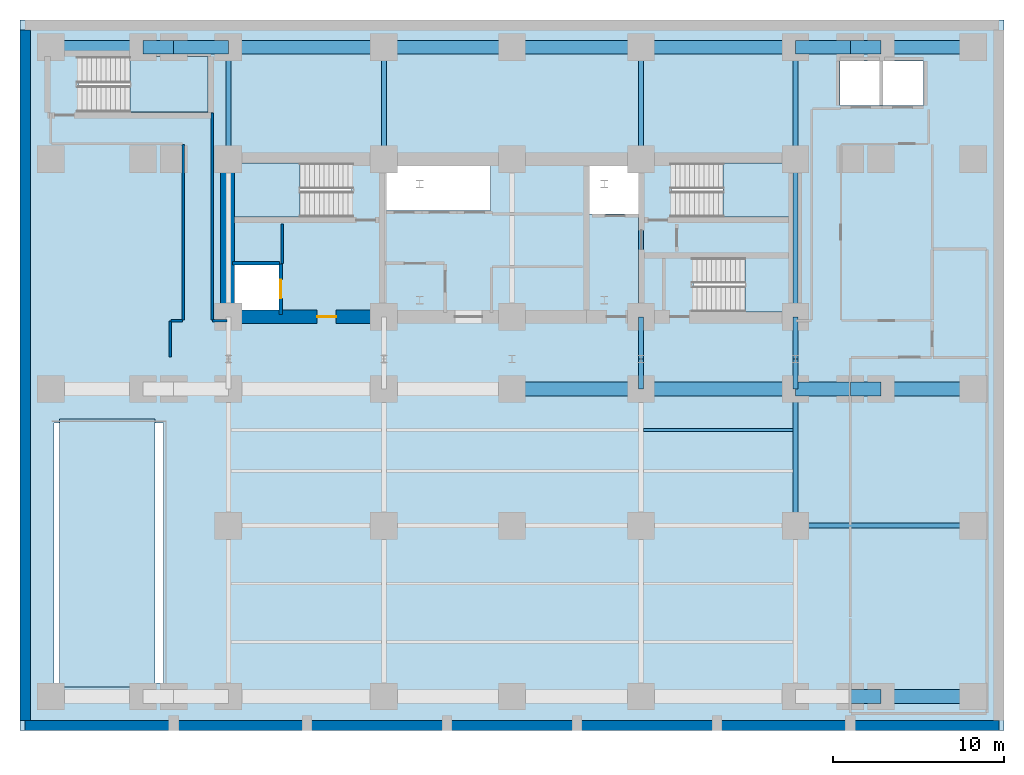
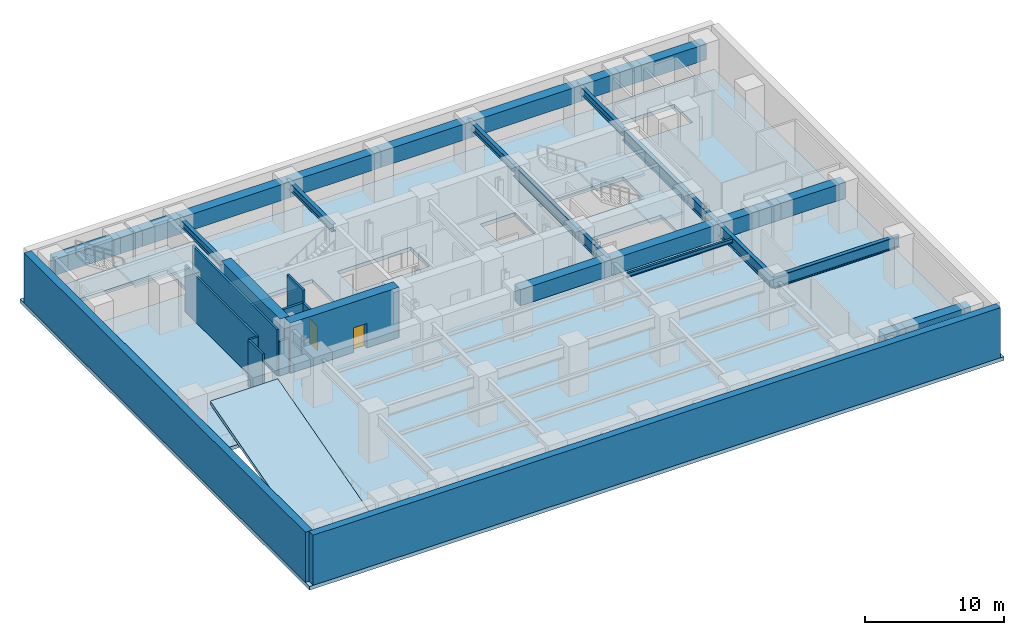
# One storey, part 2 of 8: 30 beams, 12 walls, 6 slabs, 2 doors, 2 openings, 4 elements without a shape of their own.
"""IFC4 building model written with IfcOpenShell, lengths in metres."""

import ifcopenshell
import ifcopenshell.guid

model = None  # the IFC model being written
_history = None  # IfcOwnerHistory: only IFC2X3 demands one
_inside = {}  # id of a spatial element -> (the spatial element, [elements in it])
_under = {}  # id of a project, library or spatial element -> (it, [spatial elements below it])
_declared = {}  # id of a project -> (the project, [libraries it declares])
_typed = {}  # id of a type object -> (the type object, [elements of that type])
_made_of = {}  # id of a material, layer set ... -> (it, [elements and type objects made of it])


def new_model(schema):
    """Start an empty IFC model of exactly this schema.

    Asked for "IFC4X3", IfcOpenShell would pick the latest addendum, in which some entities
    have other attributes; the version numbers below select the first issue.
    IFC2X3 requires an IfcOwnerHistory on every rooted entity: one is made here for all.
    """
    global model, _history
    if schema == "IFC4X3":
        model = ifcopenshell.file(schema_version=(4, 3, 0, 0))
    else:
        model = ifcopenshell.file(schema=schema)
    _inside.clear()
    _under.clear()
    _declared.clear()
    _typed.clear()
    _made_of.clear()
    _history = None
    if model.schema == "IFC2X3":
        org = make("IfcOrganization", Name="unknown")
        user = make(
            "IfcPersonAndOrganization",
            ThePerson=make("IfcPerson", FamilyName="unknown"),
            TheOrganization=org,
        )
        app = make(
            "IfcApplication",
            ApplicationDeveloper=org,
            Version="unknown",
            ApplicationFullName="unknown",
            ApplicationIdentifier="unknown",
        )
        _history = make(
            "IfcOwnerHistory",
            OwningUser=user,
            OwningApplication=app,
            ChangeAction="ADDED",
            CreationDate=0,
        )
    return model


def make(cls, **values):
    """One entity of the class cls with the attributes given. An attribute that is None is left unset."""
    return model.create_entity(
        cls, **{name: value for name, value in values.items() if value is not None}
    )


def rooted(cls, **values):
    """An entity with a GlobalId (a new one), such as an element, a storey or a relation."""
    return make(cls, GlobalId=ifcopenshell.guid.new(), OwnerHistory=_history, **values)


def si_unit(unit_type, name, prefix=None):
    """IfcSIUnit, for example si_unit("LENGTHUNIT", "METRE", prefix="MILLI")."""
    return make("IfcSIUnit", UnitType=unit_type, Prefix=prefix, Name=name)


def assignment(units):
    """IfcUnitAssignment: the units of a project."""
    return None if units is None else make("IfcUnitAssignment", Units=units)


def point(xyz):
    """IfcCartesianPoint."""
    return None if xyz is None else make("IfcCartesianPoint", Coordinates=xyz)


def direction(xyz):
    """IfcDirection."""
    return None if xyz is None else make("IfcDirection", DirectionRatios=xyz)


def frame(location, z_axis=None, x_axis=None):
    """IfcAxis2Placement3D, a coordinate frame: its origin and axes. An axis left out is left unset."""
    return make(
        "IfcAxis2Placement3D",
        Location=point(location),
        Axis=direction(z_axis),
        RefDirection=direction(x_axis),
    )


def frame_2d(location, x_axis=None):
    """IfcAxis2Placement2D, a coordinate frame in the plane: its origin and x axis."""
    return make(
        "IfcAxis2Placement2D", Location=point(location), RefDirection=direction(x_axis)
    )


def origin():
    """The frame at (0, 0, 0) with its axes left unset."""
    return frame((0.0, 0.0, 0.0))


def origin_2d():
    """The frame at (0, 0) in the plane with its x axis left unset."""
    return frame_2d((0.0, 0.0))


def place(relative_to, where):
    """IfcLocalPlacement: puts the frame where relative to a parent placement (None: the world)."""
    return make(
        "IfcLocalPlacement", PlacementRelTo=relative_to, RelativePlacement=where
    )


def context(
    kind, dimensions, precision=None, world=None, true_north=None, identifier=None
):
    """IfcGeometricRepresentationContext, for example the 3D "Model" context."""
    return make(
        "IfcGeometricRepresentationContext",
        ContextIdentifier=identifier,
        ContextType=kind,
        CoordinateSpaceDimension=dimensions,
        Precision=precision,
        WorldCoordinateSystem=world,
        TrueNorth=true_north,
    )


def subcontext(parent, identifier, kind, view, scale=None):
    """IfcGeometricRepresentationSubContext, for example "Body" below "Model"."""
    return make(
        "IfcGeometricRepresentationSubContext",
        ContextIdentifier=identifier,
        ContextType=kind,
        ParentContext=parent,
        TargetScale=scale,
        TargetView=view,
    )


def project(units=None, contexts=None):
    """IfcProject with its units and contexts."""
    return rooted(
        "IfcProject",
        Name="project",
        RepresentationContexts=contexts,
        UnitsInContext=assignment(units),
    )


def spatial(cls, under=None, at=None, **own):
    """A site, building, storey or space (cls), placed at a placement, below another one or the project."""
    s = rooted(cls, ObjectPlacement=at, **own)
    if under is not None:
        _under.setdefault(under.id(), (under, []))[1].append(s)
    return s


def polyline(points):
    """IfcPolyline through the points."""
    return make("IfcPolyline", Points=[point(p) for p in points])


def profile(cls, at=None, kind="AREA", **sizes):
    """A parametric profile (cls). Its sizes go by their IFC names, for example OverallWidth=200.0."""
    return make(cls, ProfileType=kind, Position=at, **sizes)


def rectangle(**sizes):
    """IfcRectangleProfileDef."""
    return profile("IfcRectangleProfileDef", **sizes)


def i_section(**sizes):
    """IfcIShapeProfileDef."""
    return profile("IfcIShapeProfileDef", **sizes)


def outline(outer, holes=None, kind="AREA"):
    """IfcArbitraryClosedProfileDef: a profile drawn as a closed curve; with holes, ...WithVoids."""
    if holes is None:
        return make("IfcArbitraryClosedProfileDef", ProfileType=kind, OuterCurve=outer)
    return make(
        "IfcArbitraryProfileDefWithVoids",
        ProfileType=kind,
        OuterCurve=outer,
        InnerCurves=holes,
    )


def extrude(swept, where, along, depth):
    """IfcExtrudedAreaSolid: the profile swept, set in the frame where, extruded along a direction by depth."""
    return make(
        "IfcExtrudedAreaSolid",
        SweptArea=swept,
        Position=where,
        ExtrudedDirection=direction(along),
        Depth=depth,
    )


def shape(context_of_items, identifier, shape_type, items):
    """IfcShapeRepresentation: the items that make up one representation, for example the "Body"."""
    return make(
        "IfcShapeRepresentation",
        ContextOfItems=context_of_items,
        RepresentationIdentifier=identifier,
        RepresentationType=shape_type,
        Items=items,
    )


def material(Name=None, Category=None):
    """IfcMaterial."""
    return make("IfcMaterial", Name=Name, Category=Category)


def layer(
    of_material, thickness, ventilated=None, Name=None, Category=None, Priority=None
):
    """IfcMaterialLayer: one layer of a wall or slab, of a material (None: an air gap)."""
    return make(
        "IfcMaterialLayer",
        Material=of_material,
        LayerThickness=thickness,
        IsVentilated=ventilated,
        Name=Name,
        Category=Category,
        Priority=Priority,
    )


def layer_set(layers, Name=None):
    """IfcMaterialLayerSet."""
    return make("IfcMaterialLayerSet", MaterialLayers=layers, LayerSetName=Name)


def material_profile(
    of_material, cross_section, Name=None, Category=None, Priority=None
):
    """IfcMaterialProfile: a cross section and its material."""
    return make(
        "IfcMaterialProfile",
        Name=Name,
        Material=of_material,
        Profile=cross_section,
        Priority=Priority,
        Category=Category,
    )


def profile_set(profiles, Name=None, composite=None):
    """IfcMaterialProfileSet."""
    return make(
        "IfcMaterialProfileSet",
        Name=Name,
        MaterialProfiles=profiles,
        CompositeProfile=composite,
    )


def made_of(thing, what):
    """Note that an element or type object is made of a material, layer set ...; save() writes the relation."""
    if what is not None:
        _made_of.setdefault(what.id(), (what, []))[1].append(thing)
    return thing


def type_object(cls, material=None, **own):
    """A type object (cls), such as IfcWallType, which elements share."""
    return made_of(rooted(cls, **own), material)


def element(
    cls,
    number,
    at=None,
    inside=None,
    cuts=None,
    type_object=None,
    material=None,
    context=None,
    identifier="Body",
    shape_type=None,
    held_by="IfcProductDefinitionShape",
    body=None,
    shapes=None,
    **own,
):
    """One element of the class cls, such as IfcWall. Its Tag is "e" and its number.

    at: its placement. inside: the storey or other place that contains it. cuts: it is an
    opening in that element (IfcRelVoidsElement). A single representation is given by context,
    identifier, shape_type and body (its items); several are given by shapes. held_by: the class
    of the entity that holds the representations. save() writes the other relations.
    """
    e = rooted(cls, Tag="e%d" % number, ObjectPlacement=at, **own)
    if body is not None:
        shapes = [shape(context, identifier, shape_type, body)]
    if shapes is not None:
        e.Representation = make(held_by, Representations=shapes)
    if inside is not None:
        _inside.setdefault(inside.id(), (inside, []))[1].append(e)
    if cuts is not None:
        rooted(
            "IfcRelVoidsElement", RelatingBuildingElement=cuts, RelatedOpeningElement=e
        )
    if type_object is not None:
        _typed.setdefault(type_object.id(), (type_object, []))[1].append(e)
    return made_of(e, material)


def fill(opening, filler):
    """IfcRelFillsElement: the door or window that sits in an opening."""
    return rooted(
        "IfcRelFillsElement",
        RelatingOpeningElement=opening,
        RelatedBuildingElement=filler,
    )


def aggregate(whole, parts):
    """IfcRelAggregates: a whole, such as a stair, and the parts it consists of."""
    return rooted("IfcRelAggregates", RelatingObject=whole, RelatedObjects=parts)


def save(model, path):
    """Write the relations noted so far, then the file.

    IfcRelAggregates (storeys below a building ...), IfcRelContainedInSpatialStructure (elements
    in a storey), IfcRelDefinesByType, IfcRelAssociatesMaterial and IfcRelDeclares: one each for
    every whole, place, type object, material and project.
    """
    for whole, parts in _under.values():
        aggregate(whole, parts)
    for where, things in _inside.values():
        rooted(
            "IfcRelContainedInSpatialStructure",
            RelatedElements=things,
            RelatingStructure=where,
        )
    for kind, things in _typed.values():
        rooted("IfcRelDefinesByType", RelatedObjects=things, RelatingType=kind)
    for what, things in _made_of.values():
        rooted("IfcRelAssociatesMaterial", RelatedObjects=things, RelatingMaterial=what)
    for by, libraries in _declared.values():
        rooted("IfcRelDeclares", RelatingContext=by, RelatedDefinitions=libraries)
    model.write(path)


model = new_model("IFC4")

# Units and contexts
model_context = context("Model", 3, precision=1e-05, world=origin(), true_north=direction((0.0, 1.0)))
body_context = subcontext(model_context, "Body", "Model", "MODEL_VIEW")
ifc_project = project(units=[si_unit("LENGTHUNIT", "METRE"), si_unit("AREAUNIT", "SQUARE_METRE"), si_unit("VOLUMEUNIT", "CUBIC_METRE"), si_unit("PLANEANGLEUNIT", "RADIAN"), si_unit("MASSUNIT", "GRAM", prefix="KILO")], contexts=[model_context])

# Site, building, storey
site_placement = place(None, origin())
site = spatial("IfcSite", under=ifc_project, at=site_placement, CompositionType="ELEMENT")
building_placement = place(site_placement, origin())
building = spatial("IfcBuilding", under=site, at=building_placement, Name="Zarnavel Station Tower", CompositionType="ELEMENT")
storey_placement = place(building_placement, frame((0.0, 0.0, -4.39990234375)))
storey = spatial("IfcBuildingStorey", under=building, at=storey_placement, Name="B01", CompositionType="ELEMENT", Elevation=-4.39990234375)

# Beams
ifc_material_1 = material(Name="Steel S355J2", Category="steel")
ifc_material_profile_1 = material_profile(ifc_material_1, i_section(OverallWidth=0.300048828125, OverallDepth=0.64990234375, WebThickness=0.01611328125, FlangeThickness=0.031005859375, FilletRadius=0.027099609375, at=origin_2d()), Name="HEB650")
ifc_profile_set_1 = profile_set([ifc_material_profile_1], Name="Steel S355J2")
beam_type_1 = type_object("IfcBeamType", Name="FG_HEB650", PredefinedType="USERDEFINED", material=ifc_profile_set_1)
for number, where, z_axis, x_axis, name in (
    (1, (12.199951171875, 37.050048828125, 3.724853515625), (0.0, 1.0, 0.0), (-1.0, 0.0, 0.0), "B01 NS Girder North 1"),
    (2, (21.300048828125, 37.050048828125, 3.724853515625), (0.0, 1.0, 0.0), (-1.0, 0.0, 0.0), "B01 NS Girder North 2"),
    (3, (36.35009765625, 37.050048828125, 3.724853515625), (0.0, 1.0, 0.0), (-1.0, 0.0, 0.0), "B01 NS Girder North 3"),
    (4, (45.39990234375, 37.050048828125, 3.724853515625), (0.0, 1.0, 0.0), (-1.0, 0.0, 0.0), "B01 NS Girder North 4"),
):
    element("IfcBeam", number, at=place(storey_placement, frame(where, z_axis=z_axis, x_axis=x_axis)), inside=storey, type_object=beam_type_1, Name=name, ObjectType="GIRDER", PredefinedType="USERDEFINED", context=body_context, shape_type="SweptSolid", body=[
        extrude(i_section(OverallWidth=0.300048828125, OverallDepth=0.64990234375, WebThickness=0.01611328125, FlangeThickness=0.031005859375, FilletRadius=0.027099609375, at=origin_2d()), origin(), (0.0, 0.0, 1.0), 6.550048828125),
    ])
ifc_material_2 = material(Name="Concrete C45/55", Category="concrete")
ifc_material_profile_2 = material_profile(ifc_material_2, rectangle(XDim=0.800048828125, YDim=1.39990234375, at=origin_2d()), Name="RC800x1400")
ifc_profile_set_2 = profile_set([ifc_material_profile_2], Name="Concrete C45/55")
beam_type_2 = type_object("IfcBeamType", Name="FG_RC800x1400", PredefinedType="USERDEFINED", material=ifc_profile_set_2)
beam_1_placement = place(storey_placement, frame((48.60009765625, 5.60009765625, 3.349853515625), z_axis=(1.0, 0.0, 0.0), x_axis=(0.0, 1.0, 0.0)))
element("IfcBeam", 5, at=beam_1_placement, inside=storey, type_object=beam_type_2, Name="B01 EW Frame Girder 1-9", ObjectType="GIRDER", PredefinedType="USERDEFINED", context=body_context, shape_type="SweptSolid", body=[
    extrude(rectangle(XDim=0.800048828125, YDim=1.39990234375, at=origin_2d()), origin(), (0.0, 0.0, 1.0), 1.7998046875),
])
beam_2_placement = place(storey_placement, frame((50.39990234375, 5.60009765625, 3.349853515625), z_axis=(1.0, 0.0, 0.0), x_axis=(0.0, 1.0, 0.0)))
element("IfcBeam", 6, at=beam_2_placement, inside=storey, type_object=beam_type_2, Name="B01 EW Frame Girder 1-10", ObjectType="GIRDER", PredefinedType="USERDEFINED", context=body_context, shape_type="SweptSolid", body=[
    extrude(rectangle(XDim=0.800048828125, YDim=1.39990234375, at=origin_2d()), origin(), (0.0, 0.0, 1.0), 5.400146484375),
])
beam_3_placement = place(storey_placement, frame((28.800048828125, 23.60009765625, 3.349853515625), z_axis=(1.0, 0.0, 0.0), x_axis=(0.0, 1.0, 0.0)))
element("IfcBeam", 7, at=beam_3_placement, inside=storey, type_object=beam_type_2, Name="B01 EW Frame Girder 2-6", ObjectType="GIRDER", PredefinedType="USERDEFINED", context=body_context, shape_type="SweptSolid", body=[
    extrude(rectangle(XDim=0.800048828125, YDim=1.39990234375, at=origin_2d()), origin(), (0.0, 0.0, 1.0), 7.550048828125),
])
beam_4_placement = place(storey_placement, frame((36.35009765625, 23.60009765625, 3.349853515625), z_axis=(1.0, 0.0, 0.0), x_axis=(0.0, 1.0, 0.0)))
element("IfcBeam", 8, at=beam_4_placement, inside=storey, type_object=beam_type_2, Name="B01 EW Frame Girder 2-7", ObjectType="GIRDER", PredefinedType="USERDEFINED", context=body_context, shape_type="SweptSolid", body=[
    extrude(rectangle(XDim=0.800048828125, YDim=1.39990234375, at=origin_2d()), origin(), (0.0, 0.0, 1.0), 9.0498046875),
])
beam_5_placement = place(storey_placement, frame((45.39990234375, 23.60009765625, 3.349853515625), z_axis=(1.0, 0.0, 0.0), x_axis=(0.0, 1.0, 0.0)))
element("IfcBeam", 9, at=beam_5_placement, inside=storey, type_object=beam_type_2, Name="B01 EW Frame Girder 2-8", ObjectType="GIRDER", PredefinedType="USERDEFINED", context=body_context, shape_type="SweptSolid", body=[
    extrude(rectangle(XDim=0.800048828125, YDim=1.39990234375, at=origin_2d()), origin(), (0.0, 0.0, 1.0), 3.2001953125),
])
beam_6_placement = place(storey_placement, frame((48.60009765625, 23.60009765625, 3.349853515625), z_axis=(1.0, 0.0, 0.0), x_axis=(0.0, 1.0, 0.0)))
element("IfcBeam", 10, at=beam_6_placement, inside=storey, type_object=beam_type_2, Name="B01 EW Frame Girder 2-9", ObjectType="GIRDER", PredefinedType="USERDEFINED", context=body_context, shape_type="SweptSolid", body=[
    extrude(rectangle(XDim=0.800048828125, YDim=1.39990234375, at=origin_2d()), origin(), (0.0, 0.0, 1.0), 1.7998046875),
])
beam_7_placement = place(storey_placement, frame((50.39990234375, 23.60009765625, 3.349853515625), z_axis=(1.0, 0.0, 0.0), x_axis=(0.0, 1.0, 0.0)))
element("IfcBeam", 11, at=beam_7_placement, inside=storey, type_object=beam_type_2, Name="B01 EW Frame Girder 2-10", ObjectType="GIRDER", PredefinedType="USERDEFINED", context=body_context, shape_type="SweptSolid", body=[
    extrude(rectangle(XDim=0.800048828125, YDim=1.39990234375, at=origin_2d()), origin(), (0.0, 0.0, 1.0), 5.400146484375),
])
beam_8_placement = place(storey_placement, frame((1.800048828125, 43.60009765625, 3.349853515625), z_axis=(1.0, 0.0, 0.0), x_axis=(0.0, 1.0, 0.0)))
element("IfcBeam", 12, at=beam_8_placement, inside=storey, type_object=beam_type_2, Name="B01 EW Frame Girder 3-1", ObjectType="GIRDER", PredefinedType="USERDEFINED", context=body_context, shape_type="SweptSolid", body=[
    extrude(rectangle(XDim=0.800048828125, YDim=1.39990234375, at=origin_2d()), origin(), (0.0, 0.0, 1.0), 5.39990234375),
])
beam_9_placement = place(storey_placement, frame((7.199951171875, 43.60009765625, 3.349853515625), z_axis=(1.0, 0.0, 0.0), x_axis=(0.0, 1.0, 0.0)))
element("IfcBeam", 13, at=beam_9_placement, inside=storey, type_object=beam_type_2, Name="B01 EW Frame Girder 3-2", ObjectType="GIRDER", PredefinedType="USERDEFINED", context=body_context, shape_type="SweptSolid", body=[
    extrude(rectangle(XDim=0.800048828125, YDim=1.39990234375, at=origin_2d()), origin(), (0.0, 0.0, 1.0), 1.800048828125),
])
beam_10_placement = place(storey_placement, frame((9.0, 43.60009765625, 3.349853515625), z_axis=(1.0, 0.0, 0.0), x_axis=(0.0, 1.0, 0.0)))
element("IfcBeam", 14, at=beam_10_placement, inside=storey, type_object=beam_type_2, Name="B01 EW Frame Girder 3-3", ObjectType="GIRDER", PredefinedType="USERDEFINED", context=body_context, shape_type="SweptSolid", body=[
    extrude(rectangle(XDim=0.800048828125, YDim=1.39990234375, at=origin_2d()), origin(), (0.0, 0.0, 1.0), 3.199951171875),
])
beam_11_placement = place(storey_placement, frame((12.199951171875, 43.60009765625, 3.349853515625), z_axis=(1.0, 0.0, 0.0), x_axis=(0.0, 1.0, 0.0)))
element("IfcBeam", 15, at=beam_11_placement, inside=storey, type_object=beam_type_2, Name="B01 EW Frame Girder 3-4", ObjectType="GIRDER", PredefinedType="USERDEFINED", context=body_context, shape_type="SweptSolid", body=[
    extrude(rectangle(XDim=0.800048828125, YDim=1.39990234375, at=origin_2d()), origin(), (0.0, 0.0, 1.0), 9.10009765625),
])
beam_12_placement = place(storey_placement, frame((21.300048828125, 43.60009765625, 3.349853515625), z_axis=(1.0, 0.0, 0.0), x_axis=(0.0, 1.0, 0.0)))
element("IfcBeam", 16, at=beam_12_placement, inside=storey, type_object=beam_type_2, Name="B01 EW Frame Girder 3-5", ObjectType="GIRDER", PredefinedType="USERDEFINED", context=body_context, shape_type="SweptSolid", body=[
    extrude(rectangle(XDim=0.800048828125, YDim=1.39990234375, at=origin_2d()), origin(), (0.0, 0.0, 1.0), 7.5),
])
beam_13_placement = place(storey_placement, frame((28.800048828125, 43.60009765625, 3.349853515625), z_axis=(1.0, 0.0, 0.0), x_axis=(0.0, 1.0, 0.0)))
element("IfcBeam", 17, at=beam_13_placement, inside=storey, type_object=beam_type_2, Name="B01 EW Frame Girder 3-6", ObjectType="GIRDER", PredefinedType="USERDEFINED", context=body_context, shape_type="SweptSolid", body=[
    extrude(rectangle(XDim=0.800048828125, YDim=1.39990234375, at=origin_2d()), origin(), (0.0, 0.0, 1.0), 7.550048828125),
])
beam_14_placement = place(storey_placement, frame((36.35009765625, 43.60009765625, 3.349853515625), z_axis=(1.0, 0.0, 0.0), x_axis=(0.0, 1.0, 0.0)))
element("IfcBeam", 18, at=beam_14_placement, inside=storey, type_object=beam_type_2, Name="B01 EW Frame Girder 3-7", ObjectType="GIRDER", PredefinedType="USERDEFINED", context=body_context, shape_type="SweptSolid", body=[
    extrude(rectangle(XDim=0.800048828125, YDim=1.39990234375, at=origin_2d()), origin(), (0.0, 0.0, 1.0), 9.0498046875),
])
beam_15_placement = place(storey_placement, frame((45.39990234375, 43.60009765625, 3.349853515625), z_axis=(1.0, 0.0, 0.0), x_axis=(0.0, 1.0, 0.0)))
element("IfcBeam", 19, at=beam_15_placement, inside=storey, type_object=beam_type_2, Name="B01 EW Frame Girder 3-8", ObjectType="GIRDER", PredefinedType="USERDEFINED", context=body_context, shape_type="SweptSolid", body=[
    extrude(rectangle(XDim=0.800048828125, YDim=1.39990234375, at=origin_2d()), origin(), (0.0, 0.0, 1.0), 3.2001953125),
])
beam_16_placement = place(storey_placement, frame((48.60009765625, 43.60009765625, 3.349853515625), z_axis=(1.0, 0.0, 0.0), x_axis=(0.0, 1.0, 0.0)))
element("IfcBeam", 20, at=beam_16_placement, inside=storey, type_object=beam_type_2, Name="B01 EW Frame Girder 3-9", ObjectType="GIRDER", PredefinedType="USERDEFINED", context=body_context, shape_type="SweptSolid", body=[
    extrude(rectangle(XDim=0.800048828125, YDim=1.39990234375, at=origin_2d()), origin(), (0.0, 0.0, 1.0), 1.7998046875),
])
beam_17_placement = place(storey_placement, frame((50.39990234375, 43.60009765625, 3.349853515625), z_axis=(1.0, 0.0, 0.0), x_axis=(0.0, 1.0, 0.0)))
element("IfcBeam", 21, at=beam_17_placement, inside=storey, type_object=beam_type_2, Name="B01 EW Frame Girder 3-10", ObjectType="GIRDER", PredefinedType="USERDEFINED", context=body_context, shape_type="SweptSolid", body=[
    extrude(rectangle(XDim=0.800048828125, YDim=1.39990234375, at=origin_2d()), origin(), (0.0, 0.0, 1.0), 5.400146484375),
])
ifc_material_3 = material(Name="Steel S355J2", Category="steel")
ifc_material_profile_3 = material_profile(ifc_material_3, i_section(OverallWidth=0.169921875, OverallDepth=0.360107421875, WebThickness=0.008056640625, FlangeThickness=0.0126953125, FilletRadius=0.01806640625, at=origin_2d()), Name="IPE360")
ifc_profile_set_3 = profile_set([ifc_material_profile_3], Name="Steel S355J2")
beam_type_3 = type_object("IfcBeamType", Name="FJ_IPE360", PredefinedType="JOIST", material=ifc_profile_set_3)
beam_18_placement = place(storey_placement, frame((36.4951171875, 21.199951171875, 3.869873046875), z_axis=(1.0, 0.0, 0.0), x_axis=(0.0, 1.0, 0.0)))
element("IfcBeam", 22, at=beam_18_placement, inside=storey, type_object=beam_type_3, Name="B01 Floor Joist E4", PredefinedType="JOIST", context=body_context, shape_type="SweptSolid", body=[
    extrude(i_section(OverallWidth=0.169921875, OverallDepth=0.360107421875, WebThickness=0.008056640625, FlangeThickness=0.0126953125, FilletRadius=0.01806640625, at=origin_2d()), origin(), (0.0, 0.0, 1.0), 8.759765625),
])
ifc_material_4 = material(Name="Steel S460M", Category="steel")
ifc_material_profile_4 = material_profile(ifc_material_4, i_section(OverallWidth=0.302001953125, OverallDepth=1.008056640625, WebThickness=0.02099609375, FlangeThickness=0.0400390625, FilletRadius=0.030029296875, at=origin_2d()), Name="HEM1000")
ifc_profile_set_4 = profile_set([ifc_material_profile_4], Name="Steel S460M")
beam_type_4 = type_object("IfcBeamType", Name="TG_HEM1000", PredefinedType="USERDEFINED", material=ifc_profile_set_4)
for number, where, z_axis, x_axis, name in (
    (23, (36.35009765625, 27.820068359375, 3.5458984375), (0.0, 1.0, 0.0), (-1.0, 0.0, 0.0), "B01 Core Spine Coupling Girder 4"),
    (24, (45.39990234375, 27.820068359375, 3.5458984375), (0.0, 1.0, 0.0), (-1.0, 0.0, 0.0), "B01 Core Spine Coupling Girder 5"),
):
    element("IfcBeam", number, at=place(storey_placement, frame(where, z_axis=z_axis, x_axis=x_axis)), inside=storey, type_object=beam_type_4, Name=name, ObjectType="GIRDER", PredefinedType="USERDEFINED", context=body_context, shape_type="SweptSolid", body=[
        extrude(i_section(OverallWidth=0.302001953125, OverallDepth=1.008056640625, WebThickness=0.02099609375, FlangeThickness=0.0400390625, FilletRadius=0.030029296875, at=origin_2d()), origin(), (0.0, 0.0, 1.0), 9.22998046875),
    ])
beam_19_placement = place(storey_placement, frame((36.35009765625, 23.60009765625, 3.5458984375), z_axis=(0.0, 1.0, 0.0), x_axis=(-1.0, 0.0, 0.0)))
element("IfcBeam", 25, at=beam_19_placement, inside=storey, type_object=beam_type_4, Name="B01 NS Girder Spine 3", ObjectType="GIRDER", PredefinedType="USERDEFINED", context=body_context, shape_type="SweptSolid", body=[
    extrude(i_section(OverallWidth=0.302001953125, OverallDepth=1.008056640625, WebThickness=0.02099609375, FlangeThickness=0.0400390625, FilletRadius=0.030029296875, at=origin_2d()), origin(), (0.0, 0.0, 1.0), 1.75),
])
beam_20_placement = place(storey_placement, frame((36.35009765625, 25.35009765625, 3.5458984375), z_axis=(0.0, 1.0, 0.0), x_axis=(-1.0, 0.0, 0.0)))
element("IfcBeam", 26, at=beam_20_placement, inside=storey, type_object=beam_type_4, Name="B01 NS Girder Core 3", ObjectType="GIRDER", PredefinedType="USERDEFINED", context=body_context, shape_type="SweptSolid", body=[
    extrude(i_section(OverallWidth=0.302001953125, OverallDepth=1.008056640625, WebThickness=0.02099609375, FlangeThickness=0.0400390625, FilletRadius=0.030029296875, at=origin_2d()), origin(), (0.0, 0.0, 1.0), 2.469970703125),
])
beam_21_placement = place(storey_placement, frame((45.39990234375, 15.60009765625, 3.5458984375), z_axis=(0.0, 1.0, 0.0), x_axis=(-1.0, 0.0, 0.0)))
element("IfcBeam", 27, at=beam_21_placement, inside=storey, type_object=beam_type_4, Name="B01 NS Girder Mid 4", ObjectType="GIRDER", PredefinedType="USERDEFINED", context=body_context, shape_type="SweptSolid", body=[
    extrude(i_section(OverallWidth=0.302001953125, OverallDepth=1.008056640625, WebThickness=0.02099609375, FlangeThickness=0.0400390625, FilletRadius=0.030029296875, at=origin_2d()), origin(), (0.0, 0.0, 1.0), 8.0),
])
beam_22_placement = place(storey_placement, frame((45.39990234375, 23.60009765625, 3.5458984375), z_axis=(0.0, 1.0, 0.0), x_axis=(-1.0, 0.0, 0.0)))
element("IfcBeam", 28, at=beam_22_placement, inside=storey, type_object=beam_type_4, Name="B01 NS Girder Spine 4", ObjectType="GIRDER", PredefinedType="USERDEFINED", context=body_context, shape_type="SweptSolid", body=[
    extrude(i_section(OverallWidth=0.302001953125, OverallDepth=1.008056640625, WebThickness=0.02099609375, FlangeThickness=0.0400390625, FilletRadius=0.030029296875, at=origin_2d()), origin(), (0.0, 0.0, 1.0), 1.75),
])
beam_23_placement = place(storey_placement, frame((45.39990234375, 25.35009765625, 3.5458984375), z_axis=(0.0, 1.0, 0.0), x_axis=(-1.0, 0.0, 0.0)))
element("IfcBeam", 29, at=beam_23_placement, inside=storey, type_object=beam_type_4, Name="B01 NS Girder Core 4", ObjectType="GIRDER", PredefinedType="USERDEFINED", context=body_context, shape_type="SweptSolid", body=[
    extrude(i_section(OverallWidth=0.302001953125, OverallDepth=1.008056640625, WebThickness=0.02099609375, FlangeThickness=0.0400390625, FilletRadius=0.030029296875, at=origin_2d()), origin(), (0.0, 0.0, 1.0), 2.469970703125),
])
beam_24_placement = place(storey_placement, frame((45.39990234375, 15.60009765625, 3.5458984375), z_axis=(1.0, 0.0, 0.0), x_axis=(0.0, 1.0, 0.0)))
element("IfcBeam", 30, at=beam_24_placement, inside=storey, type_object=beam_type_4, Name="B01 East Hall Outer Girder", ObjectType="GIRDER", PredefinedType="USERDEFINED", context=body_context, shape_type="SweptSolid", body=[
    extrude(i_section(OverallWidth=0.302001953125, OverallDepth=1.008056640625, WebThickness=0.02099609375, FlangeThickness=0.0400390625, FilletRadius=0.030029296875, at=origin_2d()), origin(), (0.0, 0.0, 1.0), 10.400146484375),
])

# Slabs
ifc_material_5 = material(Name="Concrete C45/55", Category="concrete")
ifc_layer_1 = layer(ifc_material_5, 0.320068359375)
ifc_layer_set_1 = layer_set([ifc_layer_1], Name="SL_FLR_320")
slab_type_1 = type_object("IfcSlabType", Name="SL_FLR_320", PredefinedType="FLOOR", material=ifc_layer_set_1)
slab_1_placement = place(storey_placement, frame((0.0, 0.0, -0.320068359375)))
element("IfcSlab", 31, at=slab_1_placement, inside=storey, type_object=slab_type_1, Name="B01 Structural Floor Slab", PredefinedType="FLOOR", context=body_context, shape_type="SweptSolid", body=[
    extrude(outline(polyline([(0.0, 3.60009765625), (57.60009765625, 3.60009765625), (57.60009765625, 45.199951171875), (0.0, 45.199951171875), (0.0, 3.60009765625)]), holes=[polyline([(12.39990234375, 33.659912109375), (19.409912109375, 33.659912109375), (19.409912109375, 36.820068359375), (12.39990234375, 36.820068359375), (12.39990234375, 33.659912109375)]), polyline([(38.14990234375, 33.659912109375), (45.159912109375, 33.659912109375), (45.159912109375, 36.820068359375), (38.14990234375, 36.820068359375), (38.14990234375, 33.659912109375)]), polyline([(39.419921875, 28.1201171875), (45.14990234375, 28.1201171875), (45.14990234375, 31.280029296875), (39.419921875, 31.280029296875), (39.419921875, 28.1201171875)]), polyline([(3.419921875, 39.800048828125), (11.0, 39.800048828125), (11.0, 43.06005859375), (3.419921875, 43.06005859375), (3.419921875, 39.800048828125)]), polyline([(12.35009765625, 27.949951171875), (15.14990234375, 27.949951171875), (15.14990234375, 30.85009765625), (12.35009765625, 30.85009765625), (12.35009765625, 27.949951171875)]), polyline([(33.320068359375, 33.85009765625), (36.2099609375, 33.85009765625), (36.2099609375, 36.780029296875), (33.320068359375, 36.780029296875), (33.320068359375, 33.85009765625)]), polyline([(21.449951171875, 34.050048828125), (27.550048828125, 34.050048828125), (27.550048828125, 36.780029296875), (21.449951171875, 36.780029296875), (21.449951171875, 34.050048828125)]), polyline([(48.0, 40.199951171875), (52.89990234375, 40.199951171875), (52.89990234375, 42.800048828125), (48.0, 42.800048828125), (48.0, 40.199951171875)]), polyline([(2.0, 6.39990234375), (8.39990234375, 6.39990234375), (8.39990234375, 21.60009765625), (2.0, 21.60009765625), (2.0, 6.39990234375)])]), origin(), (0.0, 0.0, 1.0), 0.320068359375),
])
ifc_material_6 = material(Name="Concrete C45/55", Category="concrete")
ifc_material_7 = material(Name="Concrete C45/55", Category="concrete")
ifc_layer_2 = layer(ifc_material_7, 0.300048828125)
ifc_layer_set_2 = layer_set([ifc_layer_2], Name="SL_RMP_300")
slab_type_2 = type_object("IfcSlabType", Name="SL_RMP_300", PredefinedType="USERDEFINED", material=ifc_layer_set_2)
slab_2_placement = place(storey_placement, frame((5.10009765625, 6.14990234375, 0.0), z_axis=(0.0, 0.0, 1.0), x_axis=(0.0, 1.0, 0.0)))
element("IfcSlab", 32, at=slab_2_placement, inside=storey, type_object=slab_type_2, material=ifc_material_6, Name="B01 to L01 Two-Way Vehicle Ramp Structural Slab", ObjectType="VEHICLE_RAMP_SLAB", PredefinedType="USERDEFINED", context=body_context, shape_type="SweptSolid", body=[
    extrude(outline(polyline([(0.0, 0.0), (15.7001953125, 4.39990234375), (15.7001953125, 4.099853515625), (0.0, -0.300048828125), (0.0, 0.0)])), frame((0.0, -2.800048828125, 0.0), z_axis=(0.0, -1.0, 0.0), x_axis=(1.0, 0.0, 0.0)), (0.0, 0.0, -1.0), 5.60009765625),
])

# Stair, slab
ifc_material_8 = material(Name="Concrete C45/55", Category="concrete")
stair_type_1 = type_object("IfcStairType", Name="ST_CORE_150", PredefinedType="HALF_TURN_STAIR", material=ifc_material_8)
stair_1_placement = place(storey_placement, origin())
stair_1 = element("IfcStair", 33, at=stair_1_placement, inside=storey, type_object=stair_type_1, Name="B01 Core Exit Stair ST1", PredefinedType="HALF_TURN_STAIR")
ifc_material_9 = material(Name="Concrete C45/55", Category="concrete")
ifc_layer_3 = layer(ifc_material_9, 0.199951171875)
ifc_layer_set_3 = layer_set([ifc_layer_3], Name="SL_STAIR_LAND_200")
slab_type_3 = type_object("IfcSlabType", Name="SL_STAIR_LAND_200", PredefinedType="LANDING", material=ifc_layer_set_3)
slab_3_placement = place(storey_placement, frame((0.0, 0.0, 2.0)))
slab_3 = element("IfcSlab", 34, at=slab_3_placement, type_object=slab_type_3, Name="ST1 landing 1", PredefinedType="LANDING", context=body_context, shape_type="SweptSolid", body=[
    extrude(outline(polyline([(16.39990234375, 36.820068359375), (12.39990234375, 36.820068359375), (12.39990234375, 33.659912109375), (16.39990234375, 33.659912109375), (16.39990234375, 36.820068359375)])), origin(), (0.0, 0.0, 1.0), 0.199951171875),
])
aggregate(stair_1, [slab_3])

stair_2_placement = place(storey_placement, origin())
stair_2 = element("IfcStair", 35, at=stair_2_placement, inside=storey, type_object=stair_type_1, Name="B01 Core Exit Stair ST2", PredefinedType="HALF_TURN_STAIR")
slab_4_placement = place(storey_placement, frame((0.0, 0.0, 2.0)))
slab_4 = element("IfcSlab", 36, at=slab_4_placement, type_object=slab_type_3, Name="ST2 landing 1", PredefinedType="LANDING", context=body_context, shape_type="SweptSolid", body=[
    extrude(outline(polyline([(41.159912109375, 33.659912109375), (45.159912109375, 33.659912109375), (45.159912109375, 36.820068359375), (41.159912109375, 36.820068359375), (41.159912109375, 33.659912109375)])), origin(), (0.0, 0.0, 1.0), 0.199951171875),
])
aggregate(stair_2, [slab_4])

stair_3_placement = place(storey_placement, origin())
stair_3 = element("IfcStair", 37, at=stair_3_placement, inside=storey, type_object=stair_type_1, Name="B01 Core Exit Stair ST3", PredefinedType="HALF_TURN_STAIR")
slab_5_placement = place(storey_placement, frame((0.0, 0.0, 2.0)))
slab_5 = element("IfcSlab", 38, at=slab_5_placement, type_object=slab_type_3, Name="ST3 landing 1", PredefinedType="LANDING", context=body_context, shape_type="SweptSolid", body=[
    extrude(outline(polyline([(42.429931640625, 28.1201171875), (45.14990234375, 28.1201171875), (45.14990234375, 31.280029296875), (42.429931640625, 31.280029296875), (42.429931640625, 28.1201171875)])), origin(), (0.0, 0.0, 1.0), 0.199951171875),
])
aggregate(stair_3, [slab_5])

ifc_material_10 = material(Name="Concrete C45/55", Category="concrete")
stair_type_2 = type_object("IfcStairType", Name="ST_POD_155", PredefinedType="HALF_TURN_STAIR", material=ifc_material_10)
stair_4_placement = place(storey_placement, origin())
stair_4 = element("IfcStair", 39, at=stair_4_placement, inside=storey, type_object=stair_type_2, Name="B01 Core Exit Stair ST4", PredefinedType="HALF_TURN_STAIR")
slab_6_placement = place(storey_placement, frame((0.0, 0.0, 2.0)))
slab_6 = element("IfcSlab", 40, at=slab_6_placement, type_object=slab_type_3, Name="ST4 landing 1", PredefinedType="LANDING", context=body_context, shape_type="SweptSolid", body=[
    extrude(outline(polyline([(6.429931640625, 39.800048828125), (11.0, 39.800048828125), (11.0, 43.06005859375), (6.429931640625, 43.06005859375), (6.429931640625, 39.800048828125)])), origin(), (0.0, 0.0, 1.0), 0.199951171875),
])
aggregate(stair_4, [slab_6])

# Wall, opening, door
ifc_material_11 = material(Name="Concrete C60/75", Category="concrete")
ifc_layer_4 = layer(ifc_material_11, 0.800048828125)
ifc_layer_set_4 = layer_set([ifc_layer_4], Name="CW_800")
wall_type_1 = type_object("IfcWallType", Name="CW_800", PredefinedType="SHEAR", material=ifc_layer_set_4)
wall_1_placement = place(storey_placement, frame((21.179931640625, 27.820068359375, 0.0), z_axis=(0.0, 0.0, 1.0), x_axis=(-1.0, 0.0, 0.0)))
wall_1 = element("IfcWall", 41, at=wall_1_placement, inside=storey, type_object=wall_type_1, Name="B01 Rear Core Shear Wall S-W", PredefinedType="SHEAR", context=body_context, shape_type="SweptSolid", body=[
    extrude(rectangle(XDim=9.030029296875, YDim=0.800048828125, at=frame_2d((4.51513671875, 0.0))), origin(), (0.0, 0.0, 1.0), 4.39990234375),
])
opening_1_placement = place(wall_1_placement, frame((2.679931640625, 0.0, 0.0)))
opening_1 = element("IfcOpeningElement", 42, at=opening_1_placement, cuts=wall_1, Name="Opening FD01", PredefinedType="OPENING", context=body_context, shape_type="SweptSolid", body=[
    extrude(rectangle(XDim=1.10009765625, YDim=2.14990234375, at=frame_2d((0.550048828125, 1.074951171875))), frame((0.0, 0.409912109375, 0.0), z_axis=(0.0, -1.0, 0.0), x_axis=(1.0, 0.0, 0.0)), (0.0, 0.0, 1.0), 0.820068359375),
])
ifc_material_12 = material(Name="Painted Galvanised Steel and Hardwood Leaf", Category="steel")
door_type_1 = type_object("IfcDoorType", Name="ID_STAIR_1100", OperationType="NOTDEFINED", PredefinedType="DOOR", material=ifc_material_12)
door_1_placement = place(opening_1_placement, origin())
door_1 = element("IfcDoor", 43, at=door_1_placement, inside=storey, type_object=door_type_1, Name="B01 West Firefighting Lobby Door", OperationType="SINGLE_SWING_RIGHT", OverallHeight=2.14990234375, OverallWidth=1.10009765625, PredefinedType="DOOR", context=body_context, shape_type="SweptSolid", body=[
    extrude(rectangle(XDim=1.10009765625, YDim=2.14990234375, at=frame_2d((0.550048828125, 1.074951171875))), frame((0.0, 0.02490234375, 0.0), z_axis=(0.0, -1.0, 0.0), x_axis=(1.0, 0.0, 0.0)), (0.0, 0.0, 1.0), 0.050048828125),
])
fill(opening_1, door_1)

# Walls
wall_2_placement = place(storey_placement, frame((12.14990234375, 28.219970703125, 0.0), z_axis=(0.0, 0.0, 1.0), x_axis=(0.0, 1.0, 0.0)))
element("IfcWall", 44, at=wall_2_placement, inside=storey, type_object=wall_type_1, Name="B01 Rear Core Shear Wall W", PredefinedType="SHEAR", context=body_context, shape_type="SweptSolid", body=[
    extrude(rectangle(XDim=8.429931640625, YDim=0.800048828125, at=frame_2d((4.21484375, 0.0))), origin(), (0.0, 0.0, 1.0), 4.39990234375),
])
ifc_material_13 = material(Name="Gypsum Twin-Stud Acoustic Fire Partition", Category="concrete")
ifc_layer_5 = layer(ifc_material_13, 0.159912109375)
ifc_layer_set_5 = layer_set([ifc_layer_5], Name="PT_DEMISE_160")
wall_type_2 = type_object("IfcWallType", Name="PT_DEMISE_160", PredefinedType="PARTITIONING", material=ifc_layer_set_5)
wall_3_placement = place(storey_placement, frame((15.35009765625, 30.9599609375, 0.0), z_axis=(0.0, 0.0, 1.0), x_axis=(0.0, 1.0, 0.0)))
element("IfcWall", 45, at=wall_3_placement, inside=storey, type_object=wall_type_2, Name="B01 Enclosure Wall FFL1", PredefinedType="PARTITIONING", context=body_context, shape_type="SweptSolid", body=[
    extrude(rectangle(XDim=2.31005859375, YDim=0.159912109375, at=frame_2d((1.155029296875, 0.0))), origin(), (0.0, 0.0, 1.0), 4.0498046875),
])
wall_4_placement = place(storey_placement, frame((8.830078125, 27.60009765625, 0.0), z_axis=(0.0, 0.0, 1.0), x_axis=(1.0, 0.0, 0.0)))
element("IfcWall", 46, at=wall_4_placement, inside=storey, type_object=wall_type_2, Name="B01 Enclosure Wall CON-B1", PredefinedType="PARTITIONING", context=body_context, shape_type="SweptSolid", body=[
    extrude(rectangle(XDim=0.68994140625, YDim=0.159912109375, at=frame_2d((0.344970703125, 0.0))), origin(), (0.0, 0.0, 1.0), 4.0498046875),
])
wall_5_placement = place(storey_placement, frame((11.280029296875, 27.60009765625, 0.0), z_axis=(0.0, 0.0, 1.0), x_axis=(1.0, 0.0, 0.0)))
element("IfcWall", 47, at=wall_5_placement, inside=storey, type_object=wall_type_2, Name="B01 Enclosure Wall CON-B1", PredefinedType="PARTITIONING", context=body_context, shape_type="SweptSolid", body=[
    extrude(rectangle(XDim=0.840087890625, YDim=0.159912109375, at=frame_2d((0.419921875, 0.0))), origin(), (0.0, 0.0, 1.0), 3.02197265625),
])
wall_6_placement = place(storey_placement, frame((8.800048828125, 25.47998046875, 0.0), z_axis=(0.0, 0.0, 1.0), x_axis=(0.0, 1.0, 0.0)))
element("IfcWall", 48, at=wall_6_placement, inside=storey, type_object=wall_type_2, Name="B01 Enclosure Wall CON-B1", PredefinedType="PARTITIONING", context=body_context, shape_type="SweptSolid", body=[
    extrude(rectangle(XDim=2.090087890625, YDim=0.159912109375, at=frame_2d((1.044921875, 0.0))), origin(), (0.0, 0.0, 1.0), 4.0498046875),
])
wall_7_placement = place(storey_placement, frame((9.550048828125, 27.6298828125, 0.0), z_axis=(0.0, 0.0, 1.0), x_axis=(0.0, 1.0, 0.0)))
element("IfcWall", 49, at=wall_7_placement, inside=storey, type_object=wall_type_2, Name="B01 Enclosure Wall CON-W", PredefinedType="PARTITIONING", context=body_context, shape_type="SweptSolid", body=[
    extrude(rectangle(XDim=10.2900390625, YDim=0.159912109375, at=frame_2d((5.14501953125, 0.0))), origin(), (0.0, 0.0, 1.0), 4.0498046875),
])
wall_8_placement = place(storey_placement, frame((11.25, 27.6298828125, 0.0), z_axis=(0.0, 0.0, 1.0), x_axis=(0.0, 1.0, 0.0)))
element("IfcWall", 50, at=wall_8_placement, inside=storey, type_object=wall_type_2, Name="B01 Enclosure Wall CON-W", PredefinedType="PARTITIONING", context=body_context, shape_type="SweptSolid", body=[
    extrude(rectangle(XDim=12.135009765625, YDim=0.159912109375, at=frame_2d((6.0673828125, 0.0))), origin(), (0.0, 0.0, 1.0), 4.0498046875),
])

# Wall, opening, door
ifc_material_14 = material(Name="Precast concrete C45/55 (Fire Shaft Blockwork)", Category="masonry")
ifc_layer_6 = layer(ifc_material_14, 0.199951171875)
ifc_layer_set_6 = layer_set([ifc_layer_6], Name="PT_SHAFT_200")
wall_type_3 = type_object("IfcWallType", Name="PT_SHAFT_200", PredefinedType="PARTITIONING", material=ifc_layer_set_6)
wall_9_placement = place(storey_placement, frame((15.27001953125, 27.969970703125, 0.0), z_axis=(0.0, 0.0, 1.0), x_axis=(0.0, 1.0, 0.0)))
wall_9 = element("IfcWall", 51, at=wall_9_placement, inside=storey, type_object=wall_type_3, Name="B01 Lift FFL-01 Shaft Front Wall", PredefinedType="PARTITIONING", context=body_context, shape_type="SweptSolid", body=[
    extrude(rectangle(XDim=2.9599609375, YDim=0.199951171875, at=frame_2d((1.47998046875, 0.0))), origin(), (0.0, 0.0, 1.0), 3.02197265625),
])
opening_2_placement = place(wall_9_placement, frame((0.929931640625, 0.0, 0.0)))
opening_2 = element("IfcOpeningElement", 52, at=opening_2_placement, cuts=wall_9, Name="Opening LD01", PredefinedType="OPENING", context=body_context, shape_type="SweptSolid", body=[
    extrude(rectangle(XDim=1.10009765625, YDim=2.14990234375, at=frame_2d((0.550048828125, 1.074951171875))), frame((0.0, 0.10986328125, 0.0), z_axis=(0.0, -1.0, 0.0), x_axis=(1.0, 0.0, 0.0)), (0.0, 0.0, 1.0), 0.219970703125),
])
ifc_material_15 = material(Name="Painted Galvanised Steel and Hardwood Leaf", Category="steel")
door_type_2 = type_object("IfcDoorType", Name="LD_FF_1100", OperationType="DOUBLE_DOOR_SLIDING", PredefinedType="DOOR", material=ifc_material_15)
door_2_placement = place(opening_2_placement, origin())
door_2 = element("IfcDoor", 53, at=door_2_placement, inside=storey, type_object=door_type_2, Name="B01 Lift FFL-01 Sliding Landing Door", OperationType="DOUBLE_DOOR_SLIDING", OverallHeight=2.14990234375, OverallWidth=1.10009765625, PredefinedType="DOOR", context=body_context, shape_type="SweptSolid", body=[
    extrude(rectangle(XDim=1.10009765625, YDim=2.14990234375, at=frame_2d((0.550048828125, 1.074951171875))), frame((0.0, 0.02490234375, 0.0), z_axis=(0.0, -1.0, 0.0), x_axis=(1.0, 0.0, 0.0)), (0.0, 0.0, 1.0), 0.050048828125),
])
fill(opening_2, door_2)

# Walls
wall_10_placement = place(storey_placement, frame((12.449951171875, 30.949951171875, 0.0), z_axis=(0.0, 0.0, 1.0), x_axis=(1.0, 0.0, 0.0)))
element("IfcWall", 54, at=wall_10_placement, inside=storey, type_object=wall_type_3, Name="B01 Lift FFL-01 North Shaft Wall", PredefinedType="PARTITIONING", context=body_context, shape_type="SweptSolid", body=[
    extrude(rectangle(XDim=2.75, YDim=0.199951171875, at=frame_2d((1.375, 0.0))), origin(), (0.0, 0.0, 1.0), 3.02197265625),
])
ifc_material_16 = material(Name="Concrete C45/55", Category="concrete")
ifc_layer_7 = layer(ifc_material_16, 0.60009765625)
ifc_layer_set_7 = layer_set([ifc_layer_7], Name="RW_600")
wall_type_4 = type_object("IfcWallType", Name="RW_600", PredefinedType="USERDEFINED", material=ifc_layer_set_7)
wall_11_placement = place(storey_placement, frame((0.300048828125, 3.89990234375, 0.0), z_axis=(0.0, 0.0, 1.0), x_axis=(1.0, 0.0, 0.0)))
element("IfcWall", 55, at=wall_11_placement, inside=storey, type_object=wall_type_4, Name="B01 Perimeter Retaining Wall S", ObjectType="RETAININGWALL", PredefinedType="USERDEFINED", context=body_context, shape_type="SweptSolid", body=[
    extrude(rectangle(XDim=57.0, YDim=0.60009765625, at=frame_2d((28.5, 0.0))), origin(), (0.0, 0.0, 1.0), 4.39990234375),
])
wall_12_placement = place(storey_placement, frame((0.300048828125, 4.199951171875, 0.0), z_axis=(0.0, 0.0, 1.0), x_axis=(0.0, 1.0, 0.0)))
element("IfcWall", 56, at=wall_12_placement, inside=storey, type_object=wall_type_4, Name="B01 Perimeter Retaining Wall W", ObjectType="RETAININGWALL", PredefinedType="USERDEFINED", context=body_context, shape_type="SweptSolid", body=[
    extrude(rectangle(XDim=40.400146484375, YDim=0.60009765625, at=frame_2d((20.2001953125, 0.0))), origin(), (0.0, 0.0, 1.0), 4.39990234375),
])

save(model, "model.ifc")
